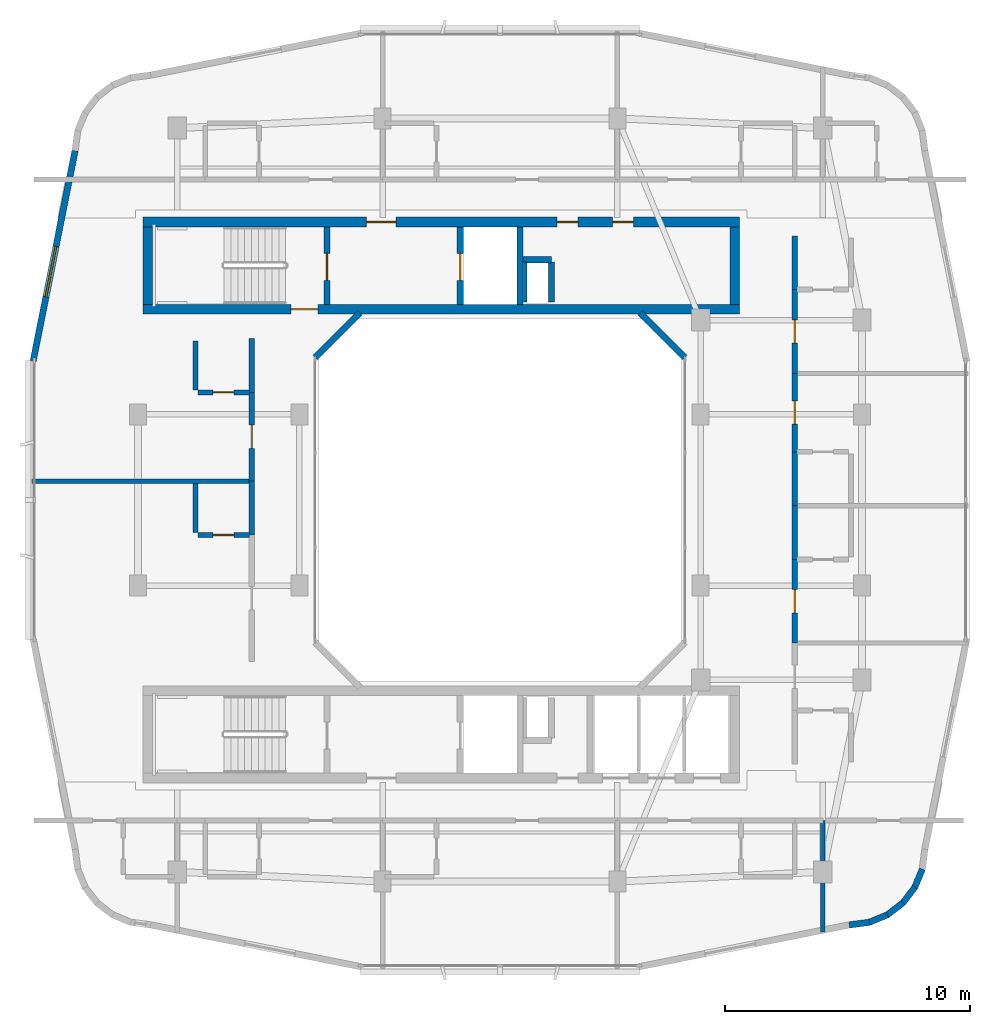
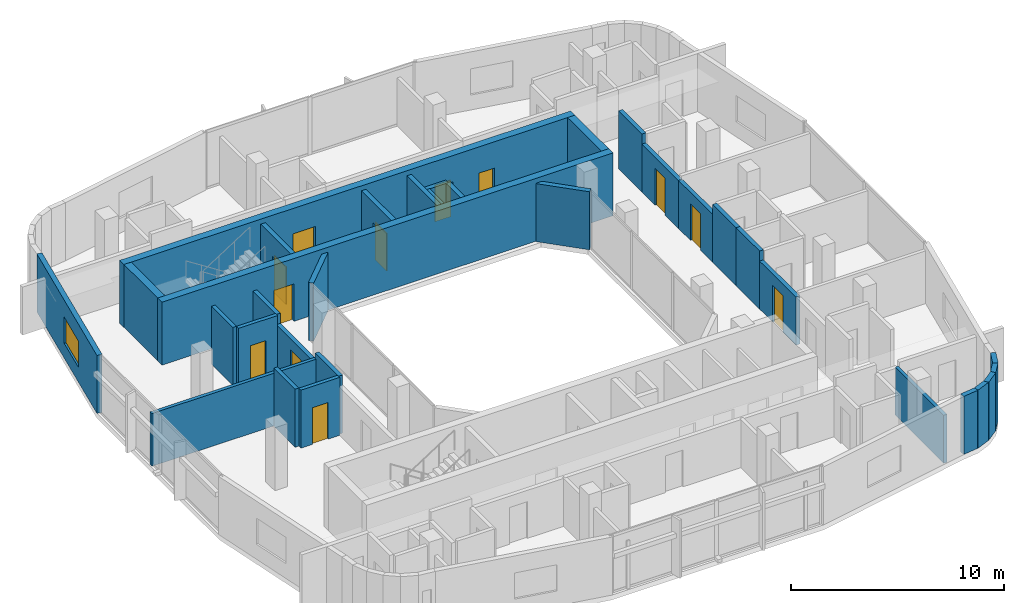
# One storey, part 8 of 14: 33 walls, 12 doors, 1 window, 13 openings.
"""IFC4 building model written with IfcOpenShell, lengths in metres."""

from ifc_helpers import new_model, si_unit, derived_unit, direction, frame, frame_2d, origin, place, context, subcontext, project, spatial, rectangle, extrude, material, layer, layer_set, type_object, element, fill, save


model = new_model("IFC4")

# Units and contexts
model_context = context("Model", 3, precision=1e-05, world=origin(), true_north=direction((0.0, 1.0)))
body_context = subcontext(model_context, "Body", "Model", "MODEL_VIEW")
ifc_project = project(units=[si_unit("LENGTHUNIT", "METRE"), si_unit("AREAUNIT", "SQUARE_METRE"), si_unit("VOLUMEUNIT", "CUBIC_METRE"), si_unit("PLANEANGLEUNIT", "RADIAN"), si_unit("MASSUNIT", "GRAM", prefix="KILO"), derived_unit("THERMALTRANSMITTANCEUNIT", [(si_unit("POWERUNIT", "WATT"), 1), (si_unit("LENGTHUNIT", "METRE"), -2), (si_unit("THERMODYNAMICTEMPERATUREUNIT", "KELVIN"), -1)])], contexts=[model_context])

# Site, building, storey
site_placement = place(None, origin())
site = spatial("IfcSite", under=ifc_project, at=site_placement, CompositionType="ELEMENT")
building_placement = place(site_placement, origin())
building = spatial("IfcBuilding", under=site, at=building_placement, Name="Kivonza Crest Hotel", CompositionType="ELEMENT")
storey_placement = place(building_placement, frame((0.0, 0.0, 227.89990234375)))
storey = spatial("IfcBuildingStorey", under=building, at=storey_placement, Name="L62", CompositionType="ELEMENT", Elevation=227.89990234375)

# Walls
ifc_material_1 = material(Name="High-density acoustic masonry inter-tenancy wall", Category="masonry")
ifc_layer_1 = layer(ifc_material_1, 0.179931640625)
ifc_layer_set_1 = layer_set([ifc_layer_1], Name="High-density acoustic masonry inter-tenancy wall")
wall_type_1 = type_object("IfcWallType", Name="WL-ACOU-180", PredefinedType="SOLIDWALL", material=ifc_layer_set_1)
wall_1_placement = place(storey_placement, frame((34.199951171875, 7.342041015625, 0.0), z_axis=(0.0, 0.0, 1.0), x_axis=(0.0, 1.0, 0.0)))
element("IfcWall", 1, at=wall_1_placement, inside=storey, type_object=wall_type_1, Name="L62 interior partition WA-L62-T1S-DIV4", PredefinedType="SOLIDWALL", context=body_context, shape_type="SweptSolid", body=[
    extrude(rectangle(XDim=4.557861328125, YDim=0.179931640625, at=frame_2d((2.27880859375, 0.0))), origin(), (0.0, 0.0, 1.0), 2.7451171875),
])
wall_2_placement = place(storey_placement, frame((1.860107421875, 25.77001953125, 0.0), z_axis=(0.0, 0.0, 1.0), x_axis=(1.0, 0.0, 0.0)))
element("IfcWall", 2, at=wall_2_placement, inside=storey, type_object=wall_type_1, Name="L62 interior partition WA-L62-T1W-DIV1", PredefinedType="SOLIDWALL", context=body_context, shape_type="SweptSolid", body=[
    extrude(rectangle(XDim=8.989990234375, YDim=0.179931640625, at=frame_2d((4.4951171875, 0.0))), origin(), (0.0, 0.0, 1.0), 3.01513671875),
])
ifc_material_2 = material(Name="Autoclaved aerated concrete blockwork", Category="masonry")
ifc_layer_2 = layer(ifc_material_2, 0.219970703125)
ifc_layer_set_2 = layer_set([ifc_layer_2], Name="Autoclaved aerated concrete blockwork")
wall_type_2 = type_object("IfcWallType", Name="WL-ACOU-220", PredefinedType="SOLIDWALL", material=ifc_layer_set_2)
wall_3_placement = place(storey_placement, frame((10.85009765625, 23.570068359375, 0.0), z_axis=(0.0, 0.0, 1.0), x_axis=(0.0, 1.0, 0.0)))
element("IfcWall", 3, at=wall_3_placement, inside=storey, type_object=wall_type_2, Name="L62 interior partition WA-L62-W09-BCORR", PredefinedType="SOLIDWALL", context=body_context, shape_type="SweptSolid", body=[
    extrude(rectangle(XDim=2.199951171875, YDim=0.219970703125, at=frame_2d((1.10009765625, 0.0))), origin(), (0.0, 0.0, 1.0), 3.320068359375),
])
wall_4_placement = place(storey_placement, frame((10.85009765625, 29.39990234375, 0.0), z_axis=(0.0, 0.0, 1.0), x_axis=(0.0, 1.0, 0.0)))
element("IfcWall", 4, at=wall_4_placement, inside=storey, type_object=wall_type_2, Name="L62 interior partition WA-L62-W10-BCORR", PredefinedType="SOLIDWALL", context=body_context, shape_type="SweptSolid", body=[
    extrude(rectangle(XDim=2.2001953125, YDim=0.219970703125, at=frame_2d((1.10009765625, 0.0))), origin(), (0.0, 0.0, 1.0), 3.320068359375),
])

# Wall, opening, door
wall_5_placement = place(storey_placement, frame((10.85009765625, 25.77001953125, 0.0), z_axis=(0.0, 0.0, 1.0), x_axis=(0.0, 1.0, 0.0)))
wall_5 = element("IfcWall", 5, at=wall_5_placement, inside=storey, type_object=wall_type_2, Name="L62 interior partition WA-L62-W10-MCORR", PredefinedType="SOLIDWALL", context=body_context, shape_type="SweptSolid", body=[
    extrude(rectangle(XDim=3.6298828125, YDim=0.219970703125, at=frame_2d((1.81494140625, 0.0))), origin(), (0.0, 0.0, 1.0), 2.7451171875),
])
opening_1_placement = place(wall_5_placement, frame((1.340087890625, 0.0, 0.0)))
opening_1 = element("IfcOpeningElement", 6, at=opening_1_placement, cuts=wall_5, Name="Opening DU-60", PredefinedType="OPENING", context=body_context, shape_type="SweptSolid", body=[
    extrude(rectangle(XDim=0.949951171875, YDim=2.10009765625, at=frame_2d((0.47509765625, 1.050048828125))), frame((0.0, 0.1201171875, 0.0), z_axis=(0.0, -1.0, 0.0), x_axis=(1.0, 0.0, 0.0)), (0.0, 0.0, 1.0), 0.239990234375),
])
ifc_material_3 = material(Name="Hardwood timber oak", Category="wood")
door_type_1 = type_object("IfcDoorType", Name="DR-UNIT-950", OperationType="NOTDEFINED", PredefinedType="DOOR", material=ifc_material_3)
door_1_placement = place(opening_1_placement, origin())
door_1 = element("IfcDoor", 7, at=door_1_placement, inside=storey, type_object=door_type_1, Name="L62 W10 guest unit entrance fire door", OperationType="SINGLE_SWING_RIGHT", OverallHeight=2.10009765625, OverallWidth=0.949951171875, PredefinedType="DOOR", context=body_context, shape_type="SweptSolid", body=[
    extrude(rectangle(XDim=0.949951171875, YDim=2.10009765625, at=frame_2d((0.47509765625, 1.050048828125))), frame((0.0, 0.02490234375, 0.0), z_axis=(0.0, -1.0, 0.0), x_axis=(1.0, 0.0, 0.0)), (0.0, 0.0, 1.0), 0.050048828125),
])
fill(opening_1, door_1)

# Wall
wall_6_placement = place(storey_placement, frame((33.050048828125, 22.572021484375, 0.0), z_axis=(0.0, 0.0, 1.0), x_axis=(0.0, 1.0, 0.0)))
element("IfcWall", 8, at=wall_6_placement, inside=storey, type_object=wall_type_2, Name="L62 interior partition WA-L62-E12-BCORR", PredefinedType="SOLIDWALL", context=body_context, shape_type="SweptSolid", body=[
    extrude(rectangle(XDim=2.199951171875, YDim=0.219970703125, at=frame_2d((1.10009765625, 0.0))), origin(), (0.0, 0.0, 1.0), 3.320068359375),
])

# Wall, opening, door
wall_7_placement = place(storey_placement, frame((33.050048828125, 19.156005859375, 0.0), z_axis=(0.0, 0.0, 1.0), x_axis=(0.0, 1.0, 0.0)))
wall_7 = element("IfcWall", 9, at=wall_7_placement, inside=storey, type_object=wall_type_2, Name="L62 interior partition WA-L62-E12-MCORR", PredefinedType="SOLIDWALL", context=body_context, shape_type="SweptSolid", body=[
    extrude(rectangle(XDim=3.416015625, YDim=0.219970703125, at=frame_2d((1.7080078125, 0.0))), origin(), (0.0, 0.0, 1.0), 2.7451171875),
])
opening_2_placement = place(wall_7_placement, frame((1.23291015625, 0.0, 0.0)))
opening_2 = element("IfcOpeningElement", 10, at=opening_2_placement, cuts=wall_7, Name="Opening DU-60", PredefinedType="OPENING", context=body_context, shape_type="SweptSolid", body=[
    extrude(rectangle(XDim=0.949951171875, YDim=2.10009765625, at=frame_2d((0.47509765625, 1.050048828125))), frame((0.0, 0.1201171875, 0.0), z_axis=(0.0, -1.0, 0.0), x_axis=(1.0, 0.0, 0.0)), (0.0, 0.0, 1.0), 0.239990234375),
])
door_2_placement = place(opening_2_placement, frame((0.949951171875, 0.0, 0.0), z_axis=(0.0, 0.0, 1.0), x_axis=(-1.0, 0.0, 0.0)))
door_2 = element("IfcDoor", 11, at=door_2_placement, inside=storey, type_object=door_type_1, Name="L62 E12 guest unit entrance fire door", OperationType="SINGLE_SWING_RIGHT", OverallHeight=2.10009765625, OverallWidth=0.949951171875, PredefinedType="DOOR", context=body_context, shape_type="SweptSolid", body=[
    extrude(rectangle(XDim=0.949951171875, YDim=2.10009765625, at=frame_2d((0.47509765625, 1.050048828125))), frame((0.0, 0.02490234375, 0.0), z_axis=(0.0, -1.0, 0.0), x_axis=(1.0, 0.0, 0.0)), (0.0, 0.0, 1.0), 0.050048828125),
])
fill(opening_2, door_2)

# Wall
wall_8_placement = place(storey_placement, frame((33.050048828125, 24.77197265625, 0.0), z_axis=(0.0, 0.0, 1.0), x_axis=(0.0, 1.0, 0.0)))
element("IfcWall", 12, at=wall_8_placement, inside=storey, type_object=wall_type_2, Name="L62 interior partition WA-L62-E13-BCORR", PredefinedType="SOLIDWALL", context=body_context, shape_type="SweptSolid", body=[
    extrude(rectangle(XDim=2.199951171875, YDim=0.219970703125, at=frame_2d((1.10009765625, 0.0))), origin(), (0.0, 0.0, 1.0), 3.320068359375),
])

# Wall, opening, door
wall_9_placement = place(storey_placement, frame((33.050048828125, 26.971923828125, 0.0), z_axis=(0.0, 0.0, 1.0), x_axis=(0.0, 1.0, 0.0)))
wall_9 = element("IfcWall", 13, at=wall_9_placement, inside=storey, type_object=wall_type_2, Name="L62 interior partition WA-L62-E13-MCORR", PredefinedType="SOLIDWALL", context=body_context, shape_type="SweptSolid", body=[
    extrude(rectangle(XDim=3.2001953125, YDim=0.219970703125, at=frame_2d((1.60009765625, 0.0))), origin(), (0.0, 0.0, 1.0), 2.7451171875),
])
opening_3_placement = place(wall_9_placement, frame((1.125, 0.0, 0.0)))
opening_3 = element("IfcOpeningElement", 14, at=opening_3_placement, cuts=wall_9, Name="Opening DU-60", PredefinedType="OPENING", context=body_context, shape_type="SweptSolid", body=[
    extrude(rectangle(XDim=0.949951171875, YDim=2.10009765625, at=frame_2d((0.47509765625, 1.050048828125))), frame((0.0, 0.1201171875, 0.0), z_axis=(0.0, -1.0, 0.0), x_axis=(1.0, 0.0, 0.0)), (0.0, 0.0, 1.0), 0.239990234375),
])
door_3_placement = place(opening_3_placement, frame((0.949951171875, 0.0, 0.0), z_axis=(0.0, 0.0, 1.0), x_axis=(-1.0, 0.0, 0.0)))
door_3 = element("IfcDoor", 15, at=door_3_placement, inside=storey, type_object=door_type_1, Name="L62 E13 guest unit entrance fire door", OperationType="SINGLE_SWING_LEFT", OverallHeight=2.10009765625, OverallWidth=0.949951171875, PredefinedType="DOOR", context=body_context, shape_type="SweptSolid", body=[
    extrude(rectangle(XDim=0.949951171875, YDim=2.10009765625, at=frame_2d((0.47509765625, 1.050048828125))), frame((0.0, 0.02490234375, 0.0), z_axis=(0.0, -1.0, 0.0), x_axis=(1.0, 0.0, 0.0)), (0.0, 0.0, 1.0), 0.050048828125),
])
fill(opening_3, door_3)

# Wall
wall_10_placement = place(storey_placement, frame((33.050048828125, 33.60009765625, 0.0), z_axis=(0.0, 0.0, 1.0), x_axis=(0.0, 1.0, 0.0)))
element("IfcWall", 16, at=wall_10_placement, inside=storey, type_object=wall_type_2, Name="L62 interior partition WA-L62-E14-BCORR", PredefinedType="SOLIDWALL", context=body_context, shape_type="SweptSolid", body=[
    extrude(rectangle(XDim=2.199951171875, YDim=0.219970703125, at=frame_2d((1.10009765625, 0.0))), origin(), (0.0, 0.0, 1.0), 3.320068359375),
])

# Wall, opening, door
wall_11_placement = place(storey_placement, frame((33.050048828125, 30.172119140625, 0.0), z_axis=(0.0, 0.0, 1.0), x_axis=(0.0, 1.0, 0.0)))
wall_11 = element("IfcWall", 17, at=wall_11_placement, inside=storey, type_object=wall_type_2, Name="L62 interior partition WA-L62-E14-MCORR", PredefinedType="SOLIDWALL", context=body_context, shape_type="SweptSolid", body=[
    extrude(rectangle(XDim=3.427978515625, YDim=0.219970703125, at=frame_2d((1.7138671875, 0.0))), origin(), (0.0, 0.0, 1.0), 2.7451171875),
])
opening_4_placement = place(wall_11_placement, frame((1.239013671875, 0.0, 0.0)))
opening_4 = element("IfcOpeningElement", 18, at=opening_4_placement, cuts=wall_11, Name="Opening DU-60", PredefinedType="OPENING", context=body_context, shape_type="SweptSolid", body=[
    extrude(rectangle(XDim=0.949951171875, YDim=2.10009765625, at=frame_2d((0.47509765625, 1.050048828125))), frame((0.0, 0.1201171875, 0.0), z_axis=(0.0, -1.0, 0.0), x_axis=(1.0, 0.0, 0.0)), (0.0, 0.0, 1.0), 0.239990234375),
])
door_4_placement = place(opening_4_placement, frame((0.949951171875, 0.0, 0.0), z_axis=(0.0, 0.0, 1.0), x_axis=(-1.0, 0.0, 0.0)))
door_4 = element("IfcDoor", 19, at=door_4_placement, inside=storey, type_object=door_type_1, Name="L62 E14 guest unit entrance fire door", OperationType="SINGLE_SWING_RIGHT", OverallHeight=2.10009765625, OverallWidth=0.949951171875, PredefinedType="DOOR", context=body_context, shape_type="SweptSolid", body=[
    extrude(rectangle(XDim=0.949951171875, YDim=2.10009765625, at=frame_2d((0.47509765625, 1.050048828125))), frame((0.0, 0.02490234375, 0.0), z_axis=(0.0, -1.0, 0.0), x_axis=(1.0, 0.0, 0.0)), (0.0, 0.0, 1.0), 0.050048828125),
])
fill(opening_4, door_4)

ifc_material_4 = material(Name="Concrete C50/60", Category="concrete")
ifc_layer_3 = layer(ifc_material_4, 0.39990234375)
ifc_layer_set_3 = layer_set([ifc_layer_3], Name="Concrete C50/60")
wall_type_3 = type_object("IfcWallType", Name="WL-CORE-400", PredefinedType="SHEAR", material=ifc_layer_set_3)
wall_12_placement = place(storey_placement, frame((6.39990234375, 32.800048828125, 0.0), z_axis=(0.0, 0.0, 1.0), x_axis=(1.0, 0.0, 0.0)))
wall_12 = element("IfcWall", 20, at=wall_12_placement, inside=storey, type_object=wall_type_3, Name="Core wall T1-N South L62", PredefinedType="SHEAR", context=body_context, shape_type="SweptSolid", body=[
    extrude(rectangle(XDim=24.400146484375, YDim=0.39990234375, at=frame_2d((12.2001953125, 0.0))), origin(), (0.0, 0.0, 1.0), 3.60009765625),
])
opening_5_placement = place(wall_12_placement, frame((6.050048828125, 0.0, 0.0)))
opening_5 = element("IfcOpeningElement", 21, at=opening_5_placement, cuts=wall_12, Name="Opening DF-120", PredefinedType="OPENING", context=body_context, shape_type="SweptSolid", body=[
    extrude(rectangle(XDim=1.10009765625, YDim=2.14990234375, at=frame_2d((0.550048828125, 1.074951171875))), frame((0.0, 0.2099609375, 0.0), z_axis=(0.0, -1.0, 0.0), x_axis=(1.0, 0.0, 0.0)), (0.0, 0.0, 1.0), 0.419921875),
])
ifc_material_5 = material(Name="Galvanised steel", Category="steel")
door_type_2 = type_object("IfcDoorType", Name="DR-FD120-1100", OperationType="NOTDEFINED", PredefinedType="DOOR", material=ifc_material_5)
door_5_placement = place(opening_5_placement, origin())
door_5 = element("IfcDoor", 22, at=door_5_placement, inside=storey, type_object=door_type_2, Name="L62 West corridor stair access fire door", OperationType="SINGLE_SWING_LEFT", OverallHeight=2.14990234375, OverallWidth=1.10009765625, PredefinedType="DOOR", context=body_context, shape_type="SweptSolid", body=[
    extrude(rectangle(XDim=1.10009765625, YDim=2.14990234375, at=frame_2d((0.550048828125, 1.074951171875))), frame((0.0, 0.02490234375, 0.0), z_axis=(0.0, -1.0, 0.0), x_axis=(1.0, 0.0, 0.0)), (0.0, 0.0, 1.0), 0.050048828125),
])
fill(opening_5, door_5)

# Wall, openings, doors
wall_13_placement = place(storey_placement, frame((6.39990234375, 36.360107421875, 0.0), z_axis=(0.0, 0.0, 1.0), x_axis=(1.0, 0.0, 0.0)))
wall_13 = element("IfcWall", 23, at=wall_13_placement, inside=storey, type_object=wall_type_3, Name="Core wall T1-N North L62", PredefinedType="SHEAR", context=body_context, shape_type="SweptSolid", body=[
    extrude(rectangle(XDim=24.400146484375, YDim=0.39990234375, at=frame_2d((12.2001953125, 0.0))), origin(), (0.0, 0.0, 1.0), 3.60009765625),
])
opening_6_placement = place(wall_13_placement, frame((9.14990234375, 0.0, 0.0)))
opening_6 = element("IfcOpeningElement", 24, at=opening_6_placement, cuts=wall_13, Name="Opening DF-60", PredefinedType="OPENING", context=body_context, shape_type="SweptSolid", body=[
    extrude(rectangle(XDim=1.199951171875, YDim=2.14990234375, at=frame_2d((0.60009765625, 1.074951171875))), frame((0.0, 0.2099609375, 0.0), z_axis=(0.0, -1.0, 0.0), x_axis=(1.0, 0.0, 0.0)), (0.0, 0.0, 1.0), 0.419921875),
])
opening_7_placement = place(wall_13_placement, frame((19.199951171875, 0.0, 0.0)))
opening_7 = element("IfcOpeningElement", 25, at=opening_7_placement, cuts=wall_13, Name="Opening DF-60R", PredefinedType="OPENING", context=body_context, shape_type="SweptSolid", body=[
    extrude(rectangle(XDim=0.85009765625, YDim=2.10009765625, at=frame_2d((0.425048828125, 1.050048828125))), frame((0.0, 0.2099609375, 0.0), z_axis=(0.0, -1.0, 0.0), x_axis=(1.0, 0.0, 0.0)), (0.0, 0.0, 1.0), 0.419921875),
])
opening_8_placement = place(wall_13_placement, frame((16.93994140625, 0.0, 0.0)))
opening_8 = element("IfcOpeningElement", 26, at=opening_8_placement, cuts=wall_13, Name="Opening DF-60R", PredefinedType="OPENING", context=body_context, shape_type="SweptSolid", body=[
    extrude(rectangle(XDim=0.85009765625, YDim=2.10009765625, at=frame_2d((0.425048828125, 1.050048828125))), frame((0.0, 0.2099609375, 0.0), z_axis=(0.0, -1.0, 0.0), x_axis=(1.0, 0.0, 0.0)), (0.0, 0.0, 1.0), 0.419921875),
])
door_type_3 = type_object("IfcDoorType", Name="DR-FD60-1200", OperationType="NOTDEFINED", PredefinedType="DOOR", material=ifc_material_3)
door_6_placement = place(opening_6_placement, origin())
door_6 = element("IfcDoor", 27, at=door_6_placement, inside=storey, type_object=door_type_3, Name="L62 T1-N firefighting lobby fire door", OperationType="SINGLE_SWING_RIGHT", OverallHeight=2.14990234375, OverallWidth=1.199951171875, PredefinedType="DOOR", context=body_context, shape_type="SweptSolid", body=[
    extrude(rectangle(XDim=1.199951171875, YDim=2.14990234375, at=frame_2d((0.60009765625, 1.074951171875))), frame((0.0, 0.02490234375, 0.0), z_axis=(0.0, -1.0, 0.0), x_axis=(1.0, 0.0, 0.0)), (0.0, 0.0, 1.0), 0.050048828125),
])
fill(opening_6, door_6)
door_type_4 = type_object("IfcDoorType", Name="DR-FD60-850", OperationType="NOTDEFINED", PredefinedType="DOOR", material=ifc_material_3)
door_7_placement = place(opening_7_placement, origin())
door_7 = element("IfcDoor", 28, at=door_7_placement, inside=storey, type_object=door_type_4, Name="L62 T1-N reclaimed core service door", OperationType="SINGLE_SWING_LEFT", OverallHeight=2.10009765625, OverallWidth=0.85009765625, PredefinedType="DOOR", context=body_context, shape_type="SweptSolid", body=[
    extrude(rectangle(XDim=0.85009765625, YDim=2.10009765625, at=frame_2d((0.425048828125, 1.050048828125))), frame((0.0, 0.02490234375, 0.0), z_axis=(0.0, -1.0, 0.0), x_axis=(1.0, 0.0, 0.0)), (0.0, 0.0, 1.0), 0.050048828125),
])
fill(opening_7, door_7)
door_8_placement = place(opening_8_placement, origin())
door_8 = element("IfcDoor", 29, at=door_8_placement, inside=storey, type_object=door_type_4, Name="L62 T1-N core room door", OperationType="SINGLE_SWING_RIGHT", OverallHeight=2.10009765625, OverallWidth=0.85009765625, PredefinedType="DOOR", context=body_context, shape_type="SweptSolid", body=[
    extrude(rectangle(XDim=0.85009765625, YDim=2.10009765625, at=frame_2d((0.425048828125, 1.050048828125))), frame((0.0, 0.02490234375, 0.0), z_axis=(0.0, -1.0, 0.0), x_axis=(1.0, 0.0, 0.0)), (0.0, 0.0, 1.0), 0.050048828125),
])
fill(opening_8, door_8)

# Walls
for number, where, z_axis, x_axis, name in (
    (30, (6.60009765625, 33.0, 0.0), (0.0, 0.0, 1.0), (0.0, 1.0, 0.0), "Core wall T1-N West L62"),
    (31, (30.60009765625, 33.0, 0.0), (0.0, 0.0, 1.0), (0.0, 1.0, 0.0), "Core wall T1-N East L62"),
):
    element("IfcWall", number, at=place(storey_placement, frame(where, z_axis=z_axis, x_axis=x_axis)), inside=storey, type_object=wall_type_3, Name=name, PredefinedType="SHEAR", context=body_context, shape_type="SweptSolid", body=[
        extrude(rectangle(XDim=3.159912109375, YDim=0.39990234375, at=frame_2d((1.580078125, 0.0))), origin(), (0.0, 0.0, 1.0), 3.60009765625),
    ])
ifc_material_6 = material(Name="Precast concrete C40/50", Category="concrete")
ifc_layer_4 = layer(ifc_material_6, 0.260009765625)
ifc_layer_set_4 = layer_set([ifc_layer_4], Name="Precast concrete C40/50")
wall_type_4 = type_object("IfcWallType", Name="WL-EXT-260", PredefinedType="STANDARD", material=ifc_layer_set_4)
wall_14_placement = place(storey_placement, frame((35.27490234375, 7.6279296875, 0.0), z_axis=(0.0, 0.0, 1.0), x_axis=(0.9913883573, 0.130954667764, 0.0)))
element("IfcWall", 32, at=wall_14_placement, inside=storey, type_object=wall_type_4, Name="L62 T1 exterior insulated wall 10", PredefinedType="STANDARD", context=body_context, shape_type="SweptSolid", body=[
    extrude(rectangle(XDim=0.833251953125, YDim=0.260009765625, at=frame_2d((0.41650390625, 0.0))), origin(), (0.0, 0.0, 1.0), 3.320068359375),
])
wall_15_placement = place(storey_placement, frame((36.054931640625, 7.718994140625, 0.0), z_axis=(0.0, 0.0, 1.0), x_axis=(0.923754491172, 0.382985169477, 0.0)))
element("IfcWall", 33, at=wall_15_placement, inside=storey, type_object=wall_type_4, Name="L62 T1 exterior insulated wall 11", PredefinedType="STANDARD", context=body_context, shape_type="SweptSolid", body=[
    extrude(rectangle(XDim=0.85107421875, YDim=0.260009765625, at=frame_2d((0.425537109375, 0.0))), origin(), (0.0, 0.0, 1.0), 3.320068359375),
])
for number, where, z_axis, x_axis, name in (
    (34, (36.801025390625, 8.01708984375, 0.0), (0.0, 0.0, 1.0), (0.793999057278, 0.607918988881, 0.0), "L62 T1 exterior insulated wall 12"),
    (35, (37.445068359375, 8.49609375, 0.0), (0.0, 0.0, 1.0), (0.608057619941, 0.793892896323, 0.0), "L62 T1 exterior insulated wall 13"),
):
    element("IfcWall", number, at=place(storey_placement, frame(where, z_axis=z_axis, x_axis=x_axis)), inside=storey, type_object=wall_type_4, Name=name, PredefinedType="STANDARD", context=body_context, shape_type="SweptSolid", body=[
        extrude(rectangle(XDim=0.85009765625, YDim=0.260009765625, at=frame_2d((0.425048828125, 0.0))), origin(), (0.0, 0.0, 1.0), 3.320068359375),
    ])
wall_16_placement = place(storey_placement, frame((37.94091796875, 9.126953125, 0.0), z_axis=(0.0, 0.0, 1.0), x_axis=(0.383229930484, 0.923652976167, 0.0)))
element("IfcWall", 36, at=wall_16_placement, inside=storey, type_object=wall_type_4, Name="L62 T1 exterior insulated wall 14", PredefinedType="STANDARD", context=body_context, shape_type="SweptSolid", body=[
    extrude(rectangle(XDim=0.85107421875, YDim=0.260009765625, at=frame_2d((0.425537109375, 0.0))), origin(), (0.0, 0.0, 1.0), 3.320068359375),
])

# Wall, opening, window
wall_17_placement = place(storey_placement, frame((3.62890625, 39.282958984375, 0.0), z_axis=(0.0, 0.0, 1.0), x_axis=(-0.195291715883, -0.980745199176, 0.0)))
wall_17 = element("IfcWall", 37, at=wall_17_placement, inside=storey, type_object=wall_type_4, Name="L62 T1 exterior insulated wall 34", PredefinedType="STANDARD", context=body_context, shape_type="SweptSolid", body=[
    extrude(rectangle(XDim=8.77099609375, YDim=0.260009765625, at=frame_2d((4.385498046875, 0.0))), origin(), (0.0, 0.0, 1.0), 3.320068359375),
])
opening_9_placement = place(wall_17_placement, frame((4.0, 0.0, 0.85009765625)))
opening_9 = element("IfcOpeningElement", 38, at=opening_9_placement, cuts=wall_17, Name="Opening WN-04", PredefinedType="OPENING", context=body_context, shape_type="SweptSolid", body=[
    extrude(rectangle(XDim=2.10009765625, YDim=1.5, at=frame_2d((1.050048828125, 0.75))), frame((0.0, 0.14013671875, 0.0), z_axis=(0.0, -1.0, 0.0), x_axis=(1.0, 0.0, 0.0)), (0.0, 0.0, 1.0), 0.280029296875),
])
ifc_material_7 = material(Name="Thermally broken bronze aluminium and low-E double glazing", Category="aluminium")
window_type = type_object("IfcWindowType", Name="WN-210x150", PartitioningType="DOUBLE_PANEL_VERTICAL", PredefinedType="WINDOW", material=ifc_material_7)
window_placement = place(opening_9_placement, origin())
window = element("IfcWindow", 39, at=window_placement, inside=storey, type_object=window_type, Name="L62 T1 facade window 34", OverallHeight=1.5, OverallWidth=2.10009765625, PartitioningType="SINGLE_PANEL", PredefinedType="WINDOW", context=body_context, shape_type="SweptSolid", body=[
    extrude(rectangle(XDim=2.10009765625, YDim=1.5, at=frame_2d((1.050048828125, 0.75))), frame((0.0, 0.030029296875, 0.0), z_axis=(0.0, -1.0, 0.0), x_axis=(1.0, 0.0, 0.0)), (0.0, 0.0, 1.0), 0.06005859375),
])
fill(opening_9, window)

# Walls
for number, where, z_axis, x_axis, name in (
    (40, (28.555908203125, 30.827880859375, 0.0), (0.0, 0.0, 1.0), (-0.707059717605, 0.707153841636, 0.0), "L62 T1 light-well exterior wall 4"),
    (41, (15.278076171875, 32.662109375, 0.0), (0.0, 0.0, 1.0), (-0.707059717605, -0.707153841636, 0.0), "L62 T1 light-well exterior wall 6"),
):
    element("IfcWall", number, at=place(storey_placement, frame(where, z_axis=z_axis, x_axis=x_axis)), inside=storey, type_object=wall_type_4, Name=name, PredefinedType="STANDARD", context=body_context, shape_type="SweptSolid", body=[
        extrude(rectangle(XDim=2.59375, YDim=0.260009765625, at=frame_2d((1.296875, 0.0))), origin(), (0.0, 0.0, 1.0), 3.320068359375),
    ])
ifc_material_8 = material(Name="Concrete blockwork fire-compartment wall", Category="masonry")
ifc_layer_5 = layer(ifc_material_8, 0.25)
ifc_layer_set_5 = layer_set([ifc_layer_5], Name="Concrete blockwork fire-compartment wall")
wall_type_5 = type_object("IfcWallType", Name="WL-FIRE-250", PredefinedType="SOLIDWALL", material=ifc_layer_set_5)
wall_18_placement = place(storey_placement, frame((23.10009765625, 33.10009765625, 0.0), z_axis=(0.0, 0.0, 1.0), x_axis=(0.0, 1.0, 0.0)))
element("IfcWall", 42, at=wall_18_placement, inside=storey, type_object=wall_type_5, Name="L62 interior partition WA-L62-T1-N-MEPR-E", PredefinedType="SOLIDWALL", context=body_context, shape_type="SweptSolid", body=[
    extrude(rectangle(XDim=1.619873046875, YDim=0.25, at=frame_2d((0.81005859375, 0.0))), origin(), (0.0, 0.0, 1.0), 3.320068359375),
])
wall_19_placement = place(storey_placement, frame((21.949951171875, 34.820068359375, 0.0), z_axis=(0.0, 0.0, 1.0), x_axis=(1.0, 0.0, 0.0)))
element("IfcWall", 43, at=wall_19_placement, inside=storey, type_object=wall_type_5, Name="L62 interior partition WA-L62-T1-N-MEPR-H", PredefinedType="SOLIDWALL", context=body_context, shape_type="SweptSolid", body=[
    extrude(rectangle(XDim=1.150146484375, YDim=0.25, at=frame_2d((0.5751953125, 0.0))), origin(), (0.0, 0.0, 1.0), 3.320068359375),
])
ifc_material_9 = material(Name="Twin-stud acoustic gypsum board partition", Category="gypsum")
ifc_layer_6 = layer(ifc_material_9, 0.14990234375)
ifc_layer_set_6 = layer_set([ifc_layer_6], Name="Twin-stud acoustic gypsum board partition")
wall_type_6 = type_object("IfcWallType", Name="WL-PART-150", PredefinedType="PARTITIONING", material=ifc_layer_set_6)
wall_20_placement = place(storey_placement, frame((22.030029296875, 33.10009765625, 0.0), z_axis=(0.0, 0.0, 1.0), x_axis=(0.0, 1.0, 0.0)))
element("IfcWall", 44, at=wall_20_placement, inside=storey, type_object=wall_type_6, Name="L62 interior partition WA-L62-T1-N-MEPR-W", PredefinedType="PARTITIONING", context=body_context, shape_type="SweptSolid", body=[
    extrude(rectangle(XDim=1.619873046875, YDim=0.14990234375, at=frame_2d((0.81005859375, 0.0))), origin(), (0.0, 0.0, 1.0), 3.320068359375),
])

# Wall, opening, door
ifc_material_10 = material(Name="Moisture-resistant plumbing chase partition wall", Category="gypsum")
ifc_layer_7 = layer(ifc_material_10, 0.199951171875)
ifc_layer_set_7 = layer_set([ifc_layer_7], Name="Moisture-resistant plumbing chase partition wall")
wall_type_7 = type_object("IfcWallType", Name="WL-PLUMB-200", PredefinedType="PLUMBINGWALL", material=ifc_layer_set_7)
wall_21_placement = place(storey_placement, frame((8.64990234375, 23.570068359375, 0.0), z_axis=(0.0, 0.0, 1.0), x_axis=(1.0, 0.0, 0.0)))
wall_21 = element("IfcWall", 45, at=wall_21_placement, inside=storey, type_object=wall_type_7, Name="L62 interior partition WW-L62-W09-BH", PredefinedType="PLUMBINGWALL", context=body_context, shape_type="SweptSolid", body=[
    extrude(rectangle(XDim=2.10009765625, YDim=0.199951171875, at=frame_2d((1.050048828125, 0.0))), origin(), (0.0, 0.0, 1.0), 3.320068359375),
])
opening_10_placement = place(wall_21_placement, frame((0.625, 0.0, 0.0)))
opening_10 = element("IfcOpeningElement", 46, at=opening_10_placement, cuts=wall_21, Name="Opening DI-85", PredefinedType="OPENING", context=body_context, shape_type="SweptSolid", body=[
    extrude(rectangle(XDim=0.85009765625, YDim=2.10009765625, at=frame_2d((0.425048828125, 1.050048828125))), frame((0.0, 0.10986328125, 0.0), z_axis=(0.0, -1.0, 0.0), x_axis=(1.0, 0.0, 0.0)), (0.0, 0.0, 1.0), 0.219970703125),
])
door_type_5 = type_object("IfcDoorType", Name="DR-INT-850", OperationType="NOTDEFINED", PredefinedType="DOOR", material=ifc_material_3)
door_9_placement = place(opening_10_placement, frame((0.85009765625, 0.0, 0.0), z_axis=(0.0, 0.0, 1.0), x_axis=(-1.0, 0.0, 0.0)))
door_9 = element("IfcDoor", 47, at=door_9_placement, inside=storey, type_object=door_type_5, Name="L62 W09 en-suite bathroom door", OperationType="SINGLE_SWING_RIGHT", OverallHeight=2.10009765625, OverallWidth=0.85009765625, PredefinedType="DOOR", context=body_context, shape_type="SweptSolid", body=[
    extrude(rectangle(XDim=0.85009765625, YDim=2.10009765625, at=frame_2d((0.425048828125, 1.050048828125))), frame((0.0, 0.02490234375, 0.0), z_axis=(0.0, -1.0, 0.0), x_axis=(1.0, 0.0, 0.0)), (0.0, 0.0, 1.0), 0.050048828125),
])
fill(opening_10, door_9)

# Wall
wall_22_placement = place(storey_placement, frame((8.550048828125, 23.669921875, 0.0), z_axis=(0.0, 0.0, 1.0), x_axis=(0.0, 1.0, 0.0)))
element("IfcWall", 48, at=wall_22_placement, inside=storey, type_object=wall_type_7, Name="L62 interior partition WW-L62-W09-BV", PredefinedType="PLUMBINGWALL", context=body_context, shape_type="SweptSolid", body=[
    extrude(rectangle(XDim=2.0, YDim=0.199951171875, at=frame_2d((1.0, 0.0))), origin(), (0.0, 0.0, 1.0), 3.320068359375),
])

# Wall, opening, door
wall_23_placement = place(storey_placement, frame((8.64990234375, 29.39990234375, 0.0), z_axis=(0.0, 0.0, 1.0), x_axis=(1.0, 0.0, 0.0)))
wall_23 = element("IfcWall", 49, at=wall_23_placement, inside=storey, type_object=wall_type_7, Name="L62 interior partition WW-L62-W10-BH", PredefinedType="PLUMBINGWALL", context=body_context, shape_type="SweptSolid", body=[
    extrude(rectangle(XDim=2.10009765625, YDim=0.199951171875, at=frame_2d((1.050048828125, 0.0))), origin(), (0.0, 0.0, 1.0), 3.320068359375),
])
opening_11_placement = place(wall_23_placement, frame((0.625, 0.0, 0.0)))
opening_11 = element("IfcOpeningElement", 50, at=opening_11_placement, cuts=wall_23, Name="Opening DI-85", PredefinedType="OPENING", context=body_context, shape_type="SweptSolid", body=[
    extrude(rectangle(XDim=0.85009765625, YDim=2.10009765625, at=frame_2d((0.425048828125, 1.050048828125))), frame((0.0, 0.10986328125, 0.0), z_axis=(0.0, -1.0, 0.0), x_axis=(1.0, 0.0, 0.0)), (0.0, 0.0, 1.0), 0.219970703125),
])
door_10_placement = place(opening_11_placement, frame((0.85009765625, 0.0, 0.0), z_axis=(0.0, 0.0, 1.0), x_axis=(-1.0, 0.0, 0.0)))
door_10 = element("IfcDoor", 51, at=door_10_placement, inside=storey, type_object=door_type_5, Name="L62 W10 en-suite bathroom door", OperationType="SINGLE_SWING_LEFT", OverallHeight=2.10009765625, OverallWidth=0.85009765625, PredefinedType="DOOR", context=body_context, shape_type="SweptSolid", body=[
    extrude(rectangle(XDim=0.85009765625, YDim=2.10009765625, at=frame_2d((0.425048828125, 1.050048828125))), frame((0.0, 0.02490234375, 0.0), z_axis=(0.0, -1.0, 0.0), x_axis=(1.0, 0.0, 0.0)), (0.0, 0.0, 1.0), 0.050048828125),
])
fill(opening_11, door_10)

# Wall
wall_24_placement = place(storey_placement, frame((8.550048828125, 29.5, 0.0), z_axis=(0.0, 0.0, 1.0), x_axis=(0.0, 1.0, 0.0)))
element("IfcWall", 52, at=wall_24_placement, inside=storey, type_object=wall_type_7, Name="L62 interior partition WW-L62-W10-BV", PredefinedType="PLUMBINGWALL", context=body_context, shape_type="SweptSolid", body=[
    extrude(rectangle(XDim=2.0, YDim=0.199951171875, at=frame_2d((1.0, 0.0))), origin(), (0.0, 0.0, 1.0), 3.320068359375),
])

# Wall, opening, door
ifc_layer_8 = layer(ifc_material_4, 0.25)
ifc_layer_set_8 = layer_set([ifc_layer_8], Name="Concrete C50/60")
wall_type_8 = type_object("IfcWallType", Name="WL-SHAFT-250", PredefinedType="STANDARD", material=ifc_layer_set_8)
wall_25_placement = place(storey_placement, frame((13.925048828125, 33.0, 0.0), z_axis=(0.0, 0.0, 1.0), x_axis=(0.0, 1.0, 0.0)))
wall_25 = element("IfcWall", 53, at=wall_25_placement, inside=storey, type_object=wall_type_8, Name="Core shaft wall T1-N STAIR L62", PredefinedType="STANDARD", context=body_context, shape_type="SweptSolid", body=[
    extrude(rectangle(XDim=3.159912109375, YDim=0.25, at=frame_2d((1.580078125, 0.0))), origin(), (0.0, 0.0, 1.0), 3.320068359375),
])
opening_12_placement = place(wall_25_placement, frame((0.97998046875, 0.0, 0.0)))
opening_12 = element("IfcOpeningElement", 54, at=opening_12_placement, cuts=wall_25, Name="Opening DF-120", PredefinedType="OPENING", context=body_context, shape_type="SweptSolid", body=[
    extrude(rectangle(XDim=1.10009765625, YDim=2.14990234375, at=frame_2d((0.550048828125, 1.074951171875))), frame((0.0, 0.135009765625, 0.0), z_axis=(0.0, -1.0, 0.0), x_axis=(1.0, 0.0, 0.0)), (0.0, 0.0, 1.0), 0.27001953125),
])
door_11_placement = place(opening_12_placement, frame((1.10009765625, 0.0, 0.0), z_axis=(0.0, 0.0, 1.0), x_axis=(-1.0, 0.0, 0.0)))
door_11 = element("IfcDoor", 55, at=door_11_placement, inside=storey, type_object=door_type_2, Name="L62 T1-N stair fire door", OperationType="SINGLE_SWING_LEFT", OverallHeight=2.14990234375, OverallWidth=1.10009765625, PredefinedType="DOOR", context=body_context, shape_type="SweptSolid", body=[
    extrude(rectangle(XDim=1.10009765625, YDim=2.14990234375, at=frame_2d((0.550048828125, 1.074951171875))), frame((0.0, 0.02490234375, 0.0), z_axis=(0.0, -1.0, 0.0), x_axis=(1.0, 0.0, 0.0)), (0.0, 0.0, 1.0), 0.050048828125),
])
fill(opening_12, door_11)

wall_26_placement = place(storey_placement, frame((19.375, 33.0, 0.0), z_axis=(0.0, 0.0, 1.0), x_axis=(0.0, 1.0, 0.0)))
wall_26 = element("IfcWall", 56, at=wall_26_placement, inside=storey, type_object=wall_type_8, Name="Core shaft wall T1-N FFL-W L62", PredefinedType="STANDARD", context=body_context, shape_type="SweptSolid", body=[
    extrude(rectangle(XDim=3.159912109375, YDim=0.25, at=frame_2d((1.580078125, 0.0))), origin(), (0.0, 0.0, 1.0), 3.320068359375),
])
opening_13_placement = place(wall_26_placement, frame((0.97998046875, 0.0, 0.0)))
opening_13 = element("IfcOpeningElement", 57, at=opening_13_placement, cuts=wall_26, Name="Opening LD-120", PredefinedType="OPENING", context=body_context, shape_type="SweptSolid", body=[
    extrude(rectangle(XDim=1.10009765625, YDim=2.14990234375, at=frame_2d((0.550048828125, 1.074951171875))), frame((0.0, 0.135009765625, 0.0), z_axis=(0.0, -1.0, 0.0), x_axis=(1.0, 0.0, 0.0)), (0.0, 0.0, 1.0), 0.27001953125),
])
ifc_material_11 = material(Name="Stainless steel", Category="steel")
door_type_6 = type_object("IfcDoorType", Name="DR-LD120-1100", OperationType="NOTDEFINED", PredefinedType="DOOR", material=ifc_material_11)
door_12_placement = place(opening_13_placement, origin())
door_12 = element("IfcDoor", 58, at=door_12_placement, inside=storey, type_object=door_type_6, Name="L62 FFL-T1-N firefighting lift sliding landing door", OperationType="DOUBLE_DOOR_SLIDING", OverallHeight=2.14990234375, OverallWidth=1.10009765625, PredefinedType="DOOR", context=body_context, shape_type="SweptSolid", body=[
    extrude(rectangle(XDim=1.10009765625, YDim=2.14990234375, at=frame_2d((0.550048828125, 1.074951171875))), frame((0.0, 0.02490234375, 0.0), z_axis=(0.0, -1.0, 0.0), x_axis=(1.0, 0.0, 0.0)), (0.0, 0.0, 1.0), 0.050048828125),
])
fill(opening_13, door_12)

# Wall
wall_27_placement = place(storey_placement, frame((21.824951171875, 33.0, 0.0), z_axis=(0.0, 0.0, 1.0), x_axis=(0.0, 1.0, 0.0)))
element("IfcWall", 59, at=wall_27_placement, inside=storey, type_object=wall_type_8, Name="Core shaft wall T1-N FFL-E L62", PredefinedType="STANDARD", context=body_context, shape_type="SweptSolid", body=[
    extrude(rectangle(XDim=3.159912109375, YDim=0.25, at=frame_2d((1.580078125, 0.0))), origin(), (0.0, 0.0, 1.0), 3.320068359375),
])

save(model, "model.ifc")
